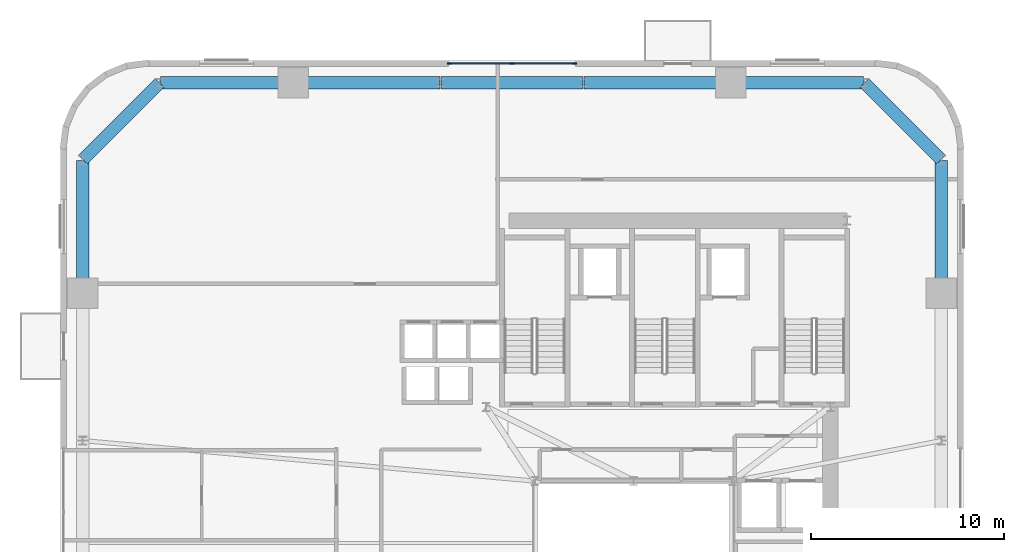
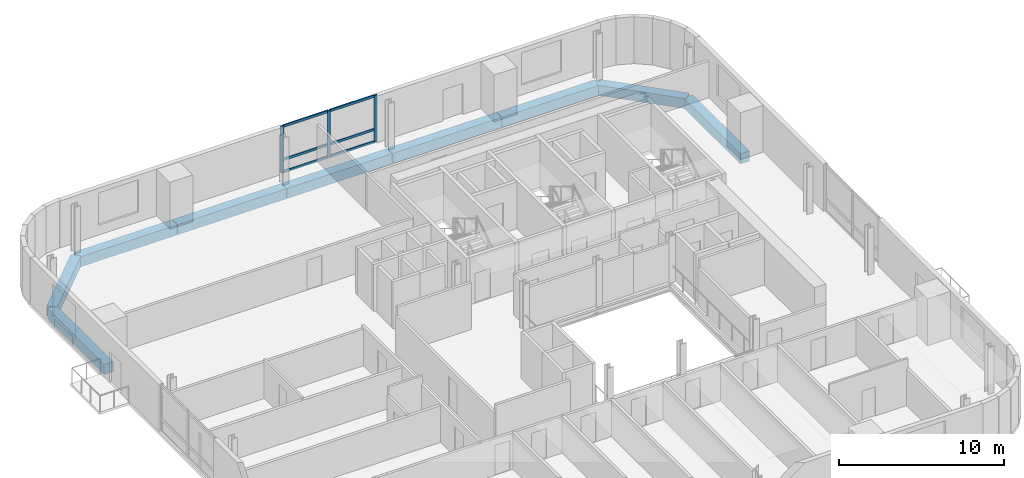
# One storey, part 4 of 14: 9 beams, 9 members, 1 element without a shape of its own.
"""IFC4 building model written with IfcOpenShell, lengths in metres."""

from ifc_helpers import new_model, si_unit, direction, frame, origin, origin_2d, place, context, subcontext, project, spatial, rectangle, extrude, source, transform, mapped, material, material_profile, profile_set, type_object, element, aggregate, save


model = new_model("IFC4")

# Units and contexts
model_context = context("Model", 3, precision=1e-05, world=origin(), true_north=direction((0.0, 1.0)))
body_context = subcontext(model_context, "Body", "Model", "MODEL_VIEW")
ifc_project = project(units=[si_unit("LENGTHUNIT", "METRE"), si_unit("AREAUNIT", "SQUARE_METRE"), si_unit("VOLUMEUNIT", "CUBIC_METRE"), si_unit("PLANEANGLEUNIT", "RADIAN"), si_unit("MASSUNIT", "GRAM", prefix="KILO")], contexts=[model_context])

# Site, building, storey
site_placement = place(None, origin())
site = spatial("IfcSite", under=ifc_project, at=site_placement, CompositionType="ELEMENT")
building_placement = place(site_placement, origin())
building = spatial("IfcBuilding", under=site, at=building_placement, Name="Vardaveli Station Tower", CompositionType="ELEMENT")
storey_placement = place(building_placement, frame((0.0, 0.0, 140.89990234375)))
storey = spatial("IfcBuildingStorey", under=building, at=storey_placement, Name="L36", CompositionType="ELEMENT", Elevation=140.89990234375)

# Beams
ifc_material_1 = material(Name="Precast concrete C45/55", Category="concrete")
ifc_material_profile_1 = material_profile(ifc_material_1, rectangle(XDim=0.64990234375, YDim=0.75, at=origin_2d()), Name="LPB 650x750")
ifc_profile_set_1 = profile_set([ifc_material_profile_1], Name="Precast concrete C45/55")
beam_type = type_object("IfcBeamType", Name="BM-LPB-750", PredefinedType="BEAM", material=ifc_profile_set_1)
shared_shape_1 = source(origin(), body_context, "Body", "SweptSolid", [
    extrude(rectangle(XDim=0.64990234375, YDim=0.75, at=origin_2d()), origin(), (0.0, 0.0, 1.0), 7.60009765625),
])
for number, where, z_axis, x_axis, name in (
    (1, (41.320068359375, 47.449951171875, -0.614990234375), (-1.0, 0.0, 0.0), (0.0, -1.0, 0.0), "RBM-L36-13"),
    (2, (26.280029296875, 47.449951171875, -0.614990234375), (-1.0, 0.0, 0.0), (0.0, -1.0, 0.0), "RBM-L36-15"),
):
    element("IfcBeam", number, at=place(storey_placement, frame(where, z_axis=z_axis, x_axis=x_axis)), inside=storey, type_object=beam_type, Name=name, PredefinedType="BEAM", context=body_context, shape_type="MappedRepresentation", body=[
        mapped(shared_shape_1, transform((0.0, 0.0, 0.0), scale=1.0)),
    ])
shared_shape_2 = source(origin(), body_context, "Body", "SweptSolid", [
    extrude(rectangle(XDim=0.64990234375, YDim=0.75, at=origin_2d()), origin(), (0.0, 0.0, 1.0), 7.35986328125),
])
beam_placement = place(storey_placement, frame((33.679931640625, 47.449951171875, -0.614990234375), z_axis=(-1.0, 0.0, 0.0), x_axis=(0.0, -1.0, 0.0)))
element("IfcBeam", 3, at=beam_placement, inside=storey, type_object=beam_type, Name="RBM-L36-14", PredefinedType="BEAM", context=body_context, shape_type="MappedRepresentation", body=[
    mapped(shared_shape_2, transform((0.0, 0.0, 0.0), scale=1.0)),
])
shared_shape_3 = source(origin(), body_context, "Body", "SweptSolid", [
    extrude(rectangle(XDim=0.64990234375, YDim=0.75, at=origin_2d()), origin(), (0.0, 0.0, 1.0), 6.869873046875),
])
for number, where, z_axis, x_axis, name in (
    (4, (52.25, 36.56005859375, -0.614990234375), (0.0, 1.0, 0.0), (-1.0, 0.0, 0.0), "RBM-L36-10"),
    (5, (48.22998046875, 47.449951171875, -0.614990234375), (-1.0, 0.0, 0.0), (0.0, -1.0, 0.0), "RBM-L36-12"),
    (6, (18.639892578125, 47.449951171875, -0.614990234375), (-1.0, 0.0, 0.0), (0.0, -1.0, 0.0), "RBM-L36-16"),
    (7, (7.75, 43.429931640625, -0.614990234375), (0.0, -1.0, 0.0), (1.0, 0.0, 0.0), "RBM-L36-18"),
):
    element("IfcBeam", number, at=place(storey_placement, frame(where, z_axis=z_axis, x_axis=x_axis)), inside=storey, type_object=beam_type, Name=name, PredefinedType="BEAM", context=body_context, shape_type="MappedRepresentation", body=[
        mapped(shared_shape_3, transform((0.0, 0.0, 0.0), scale=1.0)),
    ])
shared_shape_4 = source(origin(), body_context, "Body", "SweptSolid", [
    extrude(rectangle(XDim=0.64990234375, YDim=0.75, at=origin_2d()), origin(), (0.0, 0.0, 1.0), 5.61669921875),
])
for number, where, z_axis, x_axis, name in (
    (8, (52.23583984375, 43.464111328125, -0.614990234375), (-0.707106781187, 0.707106781187, 0.0), (-0.707106781187, -0.707106781187, 0.0), "RBM-L36-11"),
    (9, (11.73583984375, 47.435791015625, -0.614990234375), (-0.707106781187, -0.707106781187, 0.0), (0.707106781187, -0.707106781187, 0.0), "RBM-L36-17"),
):
    element("IfcBeam", number, at=place(storey_placement, frame(where, z_axis=z_axis, x_axis=x_axis)), inside=storey, type_object=beam_type, Name=name, PredefinedType="BEAM", context=body_context, shape_type="MappedRepresentation", body=[
        mapped(shared_shape_4, transform((0.0, 0.0, 0.0), scale=1.0)),
    ])

# Curtain wall, members
ifc_material_2 = material(Name="Travertine stone and solar-control glass", Category="masonry")
curtain_wall_type = type_object("IfcCurtainWallType", Name="CW-SYS-2", PredefinedType="NOTDEFINED", material=ifc_material_2)
curtain_wall_placement = place(storey_placement, origin())
curtain_wall = element("IfcCurtainWall", 10, at=curtain_wall_placement, inside=storey, type_object=curtain_wall_type, Name="CW-L36-N", PredefinedType="NOTDEFINED")
ifc_material_3 = material(Name="Anodised aluminium alloy 6063-T6", Category="aluminium")
ifc_material_profile_2 = material_profile(ifc_material_3, rectangle(XDim=0.0849609375, YDim=0.179931640625, at=origin_2d()), Name="CWT 85x180")
ifc_profile_set_2 = profile_set([ifc_material_profile_2], Name="Anodised aluminium alloy 6063-T6")
member_type_1 = type_object("IfcMemberType", Name="CW-SYS-2-TRAN", PredefinedType="NOTDEFINED", material=ifc_profile_set_2)
shared_shape_5 = source(origin(), body_context, "Body", "SweptSolid", [
    extrude(rectangle(XDim=0.0849609375, YDim=0.179931640625, at=origin_2d()), origin(), (0.0, 0.0, 1.0), 3.172607421875),
])
member_1_placement = place(storey_placement, frame((33.215087890625, 48.43994140625, 0.04248046875), z_axis=(-1.0, 0.0, 0.0), x_axis=(0.0, -1.0, 0.0)))
member_1 = element("IfcMember", 11, at=member_1_placement, type_object=member_type_1, Name="CW-2 transom 1.1", ObjectType="TRANSOM", PredefinedType="USERDEFINED", context=body_context, shape_type="MappedRepresentation", body=[
    mapped(shared_shape_5, transform((0.0, 0.0, 0.0), scale=1.0)),
])
member_2_placement = place(storey_placement, frame((33.215087890625, 48.43994140625, 0.9501953125), z_axis=(-1.0, 0.0, 0.0), x_axis=(0.0, -1.0, 0.0)))
member_2 = element("IfcMember", 12, at=member_2_placement, type_object=member_type_1, Name="CW-2 transom 1.2", ObjectType="TRANSOM", PredefinedType="USERDEFINED", context=body_context, shape_type="MappedRepresentation", body=[
    mapped(shared_shape_5, transform((0.0, 0.0, 0.0), scale=1.0)),
])
member_3_placement = place(storey_placement, frame((33.215087890625, 48.43994140625, 3.41748046875), z_axis=(-1.0, 0.0, 0.0), x_axis=(0.0, -1.0, 0.0)))
member_3 = element("IfcMember", 13, at=member_3_placement, type_object=member_type_1, Name="CW-2 transom 1.3", ObjectType="TRANSOM", PredefinedType="USERDEFINED", context=body_context, shape_type="MappedRepresentation", body=[
    mapped(shared_shape_5, transform((0.0, 0.0, 0.0), scale=1.0)),
])
member_4_placement = place(storey_placement, frame((29.95751953125, 48.43994140625, 0.04248046875), z_axis=(-1.0, 0.0, 0.0), x_axis=(0.0, -1.0, 0.0)))
member_4 = element("IfcMember", 14, at=member_4_placement, type_object=member_type_1, Name="CW-2 transom 2.1", ObjectType="TRANSOM", PredefinedType="USERDEFINED", context=body_context, shape_type="MappedRepresentation", body=[
    mapped(shared_shape_5, transform((0.0, 0.0, 0.0), scale=1.0)),
])
member_5_placement = place(storey_placement, frame((29.95751953125, 48.43994140625, 0.9501953125), z_axis=(-1.0, 0.0, 0.0), x_axis=(0.0, -1.0, 0.0)))
member_5 = element("IfcMember", 15, at=member_5_placement, type_object=member_type_1, Name="CW-2 transom 2.2", ObjectType="TRANSOM", PredefinedType="USERDEFINED", context=body_context, shape_type="MappedRepresentation", body=[
    mapped(shared_shape_5, transform((0.0, 0.0, 0.0), scale=1.0)),
])
member_6_placement = place(storey_placement, frame((29.95751953125, 48.43994140625, 3.41748046875), z_axis=(-1.0, 0.0, 0.0), x_axis=(0.0, -1.0, 0.0)))
member_6 = element("IfcMember", 16, at=member_6_placement, type_object=member_type_1, Name="CW-2 transom 2.3", ObjectType="TRANSOM", PredefinedType="USERDEFINED", context=body_context, shape_type="MappedRepresentation", body=[
    mapped(shared_shape_5, transform((0.0, 0.0, 0.0), scale=1.0)),
])
ifc_material_profile_3 = material_profile(ifc_material_3, rectangle(XDim=0.0849609375, YDim=0.219970703125, at=origin_2d()), Name="CWM 85x220")
ifc_profile_set_3 = profile_set([ifc_material_profile_3], Name="Anodised aluminium alloy 6063-T6")
member_type_2 = type_object("IfcMemberType", Name="CW-SYS-2-MULL", PredefinedType="MULLION", material=ifc_profile_set_3)
shared_shape_6 = source(origin(), body_context, "Body", "SweptSolid", [
    extrude(rectangle(XDim=0.0849609375, YDim=0.219970703125, at=origin_2d()), origin(), (0.0, 0.0, 1.0), 3.460205078125),
])
member_7_placement = place(storey_placement, frame((33.257568359375, 48.43994140625, 0.0), z_axis=(0.0, 0.0, 1.0), x_axis=(0.0, -1.0, 0.0)))
member_7 = element("IfcMember", 17, at=member_7_placement, type_object=member_type_2, Name="CW-2 mullion 1", PredefinedType="MULLION", context=body_context, shape_type="MappedRepresentation", body=[
    mapped(shared_shape_6, transform((0.0, 0.0, 0.0), scale=1.0)),
])
member_8_placement = place(storey_placement, frame((30.0, 48.43994140625, 0.0), z_axis=(0.0, 0.0, 1.0), x_axis=(0.0, -1.0, 0.0)))
member_8 = element("IfcMember", 18, at=member_8_placement, type_object=member_type_2, Name="CW-2 mullion 2", PredefinedType="MULLION", context=body_context, shape_type="MappedRepresentation", body=[
    mapped(shared_shape_6, transform((0.0, 0.0, 0.0), scale=1.0)),
])
member_9_placement = place(storey_placement, frame((26.742431640625, 48.43994140625, 0.0), z_axis=(0.0, 0.0, 1.0), x_axis=(0.0, -1.0, 0.0)))
member_9 = element("IfcMember", 19, at=member_9_placement, type_object=member_type_2, Name="CW-2 mullion 3", PredefinedType="MULLION", context=body_context, shape_type="MappedRepresentation", body=[
    mapped(shared_shape_6, transform((0.0, 0.0, 0.0), scale=1.0)),
])
aggregate(curtain_wall, [member_7, member_8, member_9, member_1, member_2, member_3, member_4, member_5, member_6])

save(model, "model.ifc")
